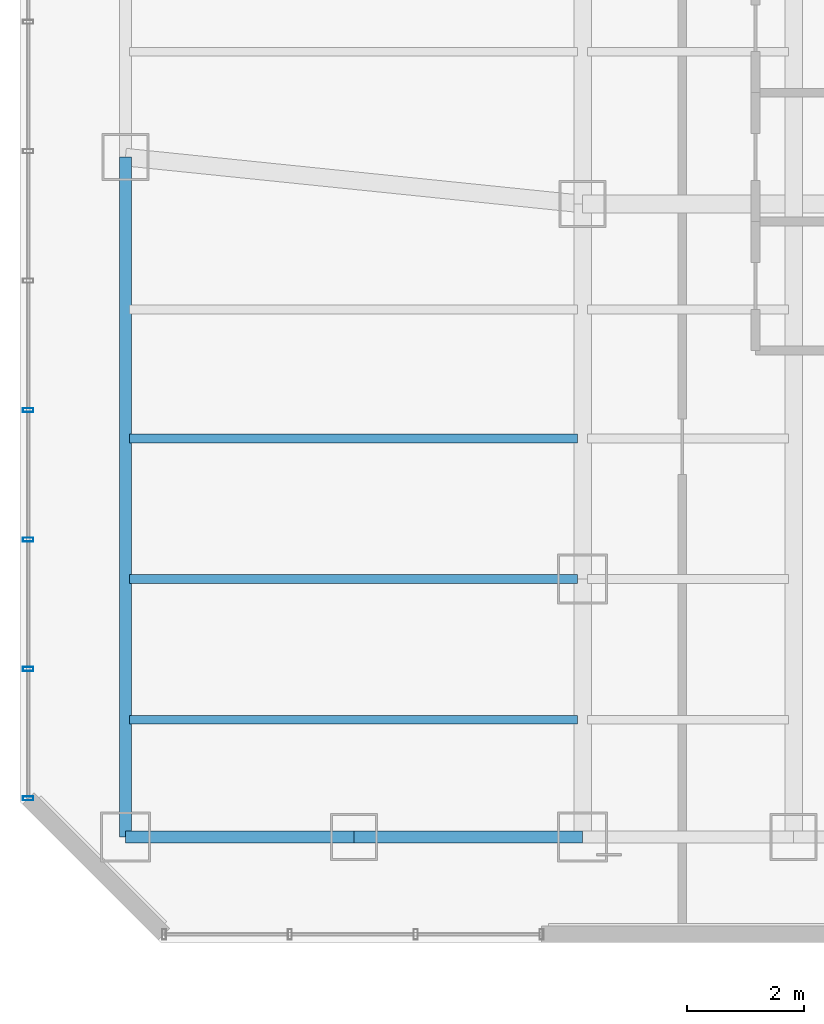
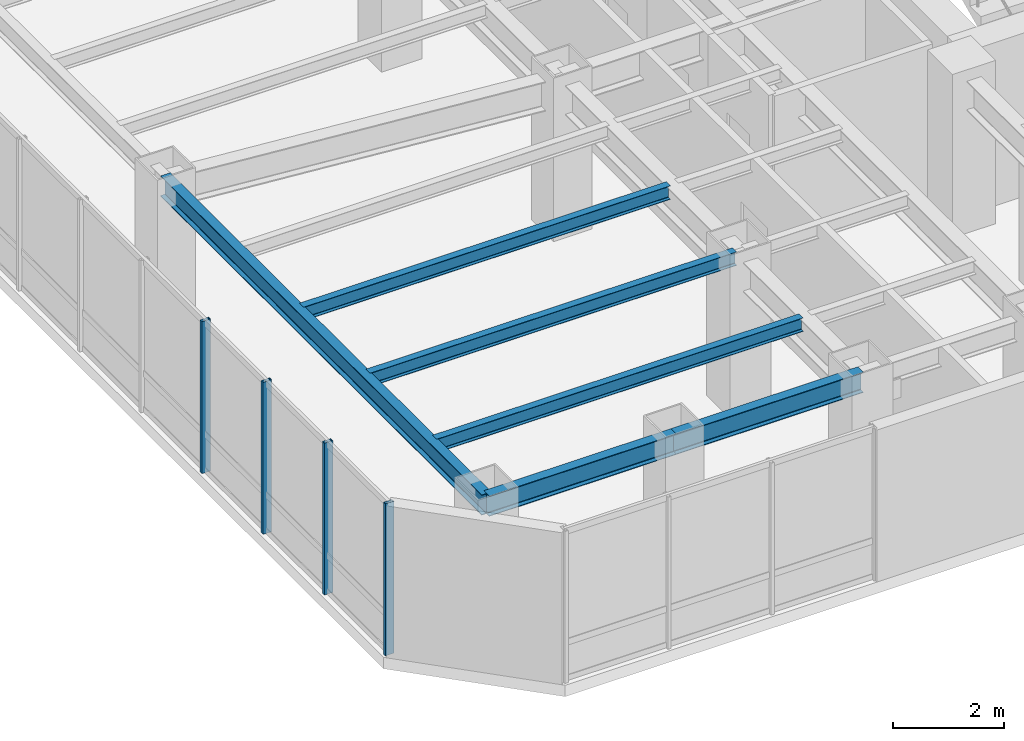
# One storey, part 4 of 26: 6 beams, 4 members, 1 element without a shape of its own.
"""IFC4 building model written with IfcOpenShell, lengths in metres."""

from ifc_helpers import new_model, si_unit, direction, frame, origin, origin_2d, place, context, subcontext, project, spatial, hollow_rectangle, i_section, extrude, material, layer, layer_set, material_profile, profile_set, type_object, element, aggregate, save


model = new_model("IFC4")

# Units and contexts
model_context = context("Model", 3, precision=1e-05, world=origin(), true_north=direction((0.0, 1.0)))
body_context = subcontext(model_context, "Body", "Model", "MODEL_VIEW")
ifc_project = project(units=[si_unit("LENGTHUNIT", "METRE"), si_unit("AREAUNIT", "SQUARE_METRE"), si_unit("VOLUMEUNIT", "CUBIC_METRE"), si_unit("PLANEANGLEUNIT", "RADIAN"), si_unit("MASSUNIT", "GRAM", prefix="KILO")], contexts=[model_context])

# Site, building, storey
site_placement = place(None, origin())
site = spatial("IfcSite", under=ifc_project, at=site_placement, CompositionType="ELEMENT")
building_placement = place(site_placement, origin())
building = spatial("IfcBuilding", under=site, at=building_placement, Name="Hatsunagi Terrace Concourse", CompositionType="ELEMENT")
storey_placement = place(building_placement, frame((0.0, 0.0, 152.85009765625)))
storey = spatial("IfcBuildingStorey", under=building, at=storey_placement, Name="L40", CompositionType="ELEMENT", Elevation=152.85009765625)

# Curtain wall, members
ifc_material_1 = material(Name="Anodised Aluminium Alloy 6063-T5", Category="aluminium")
ifc_layer = layer(ifc_material_1, 0.199951171875)
ifc_layer_set = layer_set([ifc_layer], Name="OfficeZone1_CW03")
curtain_wall_type = type_object("IfcCurtainWallType", Name="OfficeZone1_CW03", PredefinedType="NOTDEFINED", material=ifc_layer_set)
curtain_wall_placement = place(storey_placement, origin())
curtain_wall = element("IfcCurtainWall", 1, at=curtain_wall_placement, inside=storey, type_object=curtain_wall_type, Name="Unitised Curtain Wall CW-03 CW-L40-09", PredefinedType="NOTDEFINED")
ifc_material_2 = material(Name="Anodised Aluminium Alloy 6063-T5", Category="aluminium")
ifc_material_profile_1 = material_profile(ifc_material_2, hollow_rectangle(XDim=0.070068359375, YDim=0.179931640625, WallThickness=0.00390625, at=origin_2d()), Name="ALU-MUL-180x70x4")
ifc_profile_set_1 = profile_set([ifc_material_profile_1], Name="Anodised Aluminium Alloy 6063-T5")
member_type = type_object("IfcMemberType", Name="CurtainWallMullion_180x70", PredefinedType="MULLION", material=ifc_profile_set_1)
member_1_placement = place(storey_placement, frame((9.739990234375, 25.85791015625, 0.0), z_axis=(0.0, 0.0, 1.0), x_axis=(0.0, 1.0, 0.0)))
member_1 = element("IfcMember", 2, at=member_1_placement, type_object=member_type, Name="Curtain Wall Mullion MUL-02", PredefinedType="MULLION", context=body_context, shape_type="SweptSolid", body=[
    extrude(hollow_rectangle(XDim=0.070068359375, YDim=0.179931640625, WallThickness=0.00390625, at=origin_2d()), origin(), (0.0, 0.0, 1.0), 3.349853515625),
])
member_2_placement = place(storey_placement, frame((9.739990234375, 28.06591796875, 0.0), z_axis=(0.0, 0.0, 1.0), x_axis=(0.0, 1.0, 0.0)))
member_2 = element("IfcMember", 3, at=member_2_placement, type_object=member_type, Name="Curtain Wall Mullion MUL-02", PredefinedType="MULLION", context=body_context, shape_type="SweptSolid", body=[
    extrude(hollow_rectangle(XDim=0.070068359375, YDim=0.179931640625, WallThickness=0.00390625, at=origin_2d()), origin(), (0.0, 0.0, 1.0), 3.349853515625),
])
member_3_placement = place(storey_placement, frame((9.739990234375, 30.27490234375, 0.0), z_axis=(0.0, 0.0, 1.0), x_axis=(0.0, 1.0, 0.0)))
member_3 = element("IfcMember", 4, at=member_3_placement, type_object=member_type, Name="Curtain Wall Mullion MUL-02", PredefinedType="MULLION", context=body_context, shape_type="SweptSolid", body=[
    extrude(hollow_rectangle(XDim=0.070068359375, YDim=0.179931640625, WallThickness=0.00390625, at=origin_2d()), origin(), (0.0, 0.0, 1.0), 3.349853515625),
])
member_4_placement = place(storey_placement, frame((9.739990234375, 32.48291015625, 0.0), z_axis=(0.0, 0.0, 1.0), x_axis=(0.0, 1.0, 0.0)))
member_4 = element("IfcMember", 5, at=member_4_placement, type_object=member_type, Name="Curtain Wall Mullion MUL-02", PredefinedType="MULLION", context=body_context, shape_type="SweptSolid", body=[
    extrude(hollow_rectangle(XDim=0.070068359375, YDim=0.179931640625, WallThickness=0.00390625, at=origin_2d()), origin(), (0.0, 0.0, 1.0), 3.349853515625),
])
aggregate(curtain_wall, [member_1, member_2, member_3, member_4])

# Beams
ifc_material_3 = material(Name="Steel SN490B", Category="steel")
ifc_material_profile_2 = material_profile(ifc_material_3, i_section(OverallWidth=0.14990234375, OverallDepth=0.300048828125, WebThickness=0.006591796875, FlangeThickness=0.009033203125, FilletRadius=0.010986328125, at=origin_2d()), Name="H-300x150x6.5x9")
ifc_profile_set_2 = profile_set([ifc_material_profile_2], Name="Steel SN490B")
beam_type_1 = type_object("IfcBeamType", Name="OfficeJoist_H_300x150", PredefinedType="JOIST", material=ifc_profile_set_2)
for number, where, z_axis, x_axis, name in (
    (6, (11.465087890625, 27.199951171875, 3.199951171875), (1.0, 0.0, 0.0), (0.0, 1.0, 0.0), "Beam J-03 J-L40-W-11-272"),
    (7, (11.465087890625, 29.60009765625, 3.199951171875), (1.0, 0.0, 0.0), (0.0, 1.0, 0.0), "Beam J-03 J-L40-W-11-296"),
    (8, (11.465087890625, 32.0, 3.199951171875), (1.0, 0.0, 0.0), (0.0, 1.0, 0.0), "Beam J-03 J-L40-W-11-320"),
):
    element("IfcBeam", number, at=place(storey_placement, frame(where, z_axis=z_axis, x_axis=x_axis)), inside=storey, type_object=beam_type_1, Name=name, PredefinedType="JOIST", context=body_context, shape_type="SweptSolid", body=[
        extrude(i_section(OverallWidth=0.14990234375, OverallDepth=0.300048828125, WebThickness=0.006591796875, FlangeThickness=0.009033203125, FilletRadius=0.010986328125, at=origin_2d()), origin(), (0.0, 0.0, 1.0), 7.64990234375),
    ])
ifc_material_4 = material(Name="Steel SN490B", Category="steel")
ifc_material_profile_3 = material_profile(ifc_material_4, i_section(OverallWidth=0.199951171875, OverallDepth=0.449951171875, WebThickness=0.009033203125, FlangeThickness=0.013916015625, FilletRadius=0.01611328125, at=origin_2d()), Name="H-450x200x9x14")
ifc_profile_set_3 = profile_set([ifc_material_profile_3], Name="Steel SN490B")
beam_type_2 = type_object("IfcBeamType", Name="PerimeterSpandrel_H_450x200", PredefinedType="SPANDREL", material=ifc_profile_set_3)
beam_1_placement = place(storey_placement, frame((11.39990234375, 25.199951171875, 3.125), z_axis=(1.0, 0.0, 0.0), x_axis=(0.0, 1.0, 0.0)))
element("IfcBeam", 9, at=beam_1_placement, inside=storey, type_object=beam_type_2, Name="Beam SP-02 BM-L40-WS-11", PredefinedType="SPANDREL", context=body_context, shape_type="SweptSolid", body=[
    extrude(i_section(OverallWidth=0.199951171875, OverallDepth=0.449951171875, WebThickness=0.009033203125, FlangeThickness=0.013916015625, FilletRadius=0.01611328125, at=origin_2d()), origin(), (0.0, 0.0, 1.0), 3.900146484375),
])
beam_2_placement = place(storey_placement, frame((15.300048828125, 25.199951171875, 3.125), z_axis=(1.0, 0.0, 0.0), x_axis=(0.0, 1.0, 0.0)))
element("IfcBeam", 10, at=beam_2_placement, inside=storey, type_object=beam_type_2, Name="Beam SP-02 BM-L40-WS-15", PredefinedType="SPANDREL", context=body_context, shape_type="SweptSolid", body=[
    extrude(i_section(OverallWidth=0.199951171875, OverallDepth=0.449951171875, WebThickness=0.009033203125, FlangeThickness=0.013916015625, FilletRadius=0.01611328125, at=origin_2d()), origin(), (0.0, 0.0, 1.0), 3.89990234375),
])
beam_3_placement = place(storey_placement, frame((11.39990234375, 25.199951171875, 3.125), z_axis=(0.0, 1.0, 0.0), x_axis=(-1.0, 0.0, 0.0)))
element("IfcBeam", 11, at=beam_3_placement, inside=storey, type_object=beam_type_2, Name="Beam SP-02 BM-L40-NS-11-25", PredefinedType="SPANDREL", context=body_context, shape_type="SweptSolid", body=[
    extrude(i_section(OverallWidth=0.199951171875, OverallDepth=0.449951171875, WebThickness=0.009033203125, FlangeThickness=0.013916015625, FilletRadius=0.01611328125, at=origin_2d()), origin(), (0.0, 0.0, 1.0), 11.60009765625),
])

save(model, "model.ifc")
